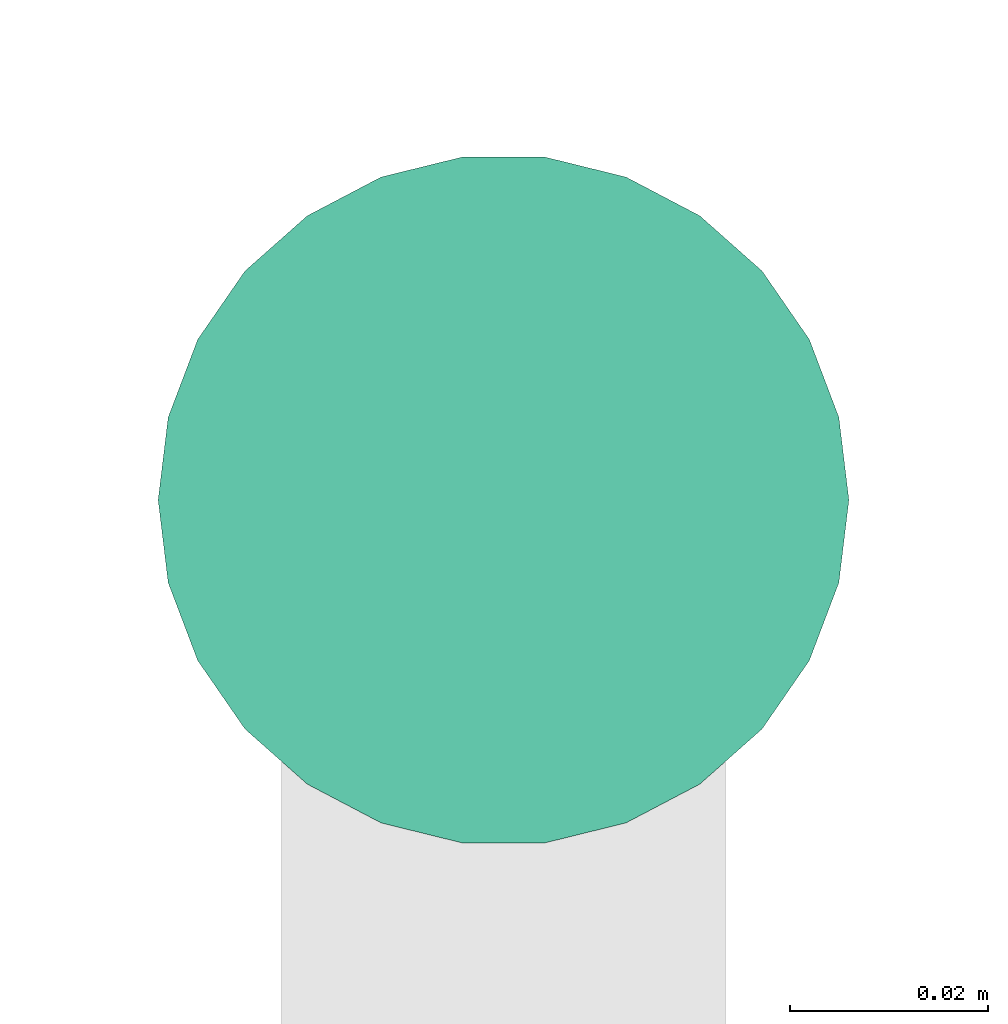
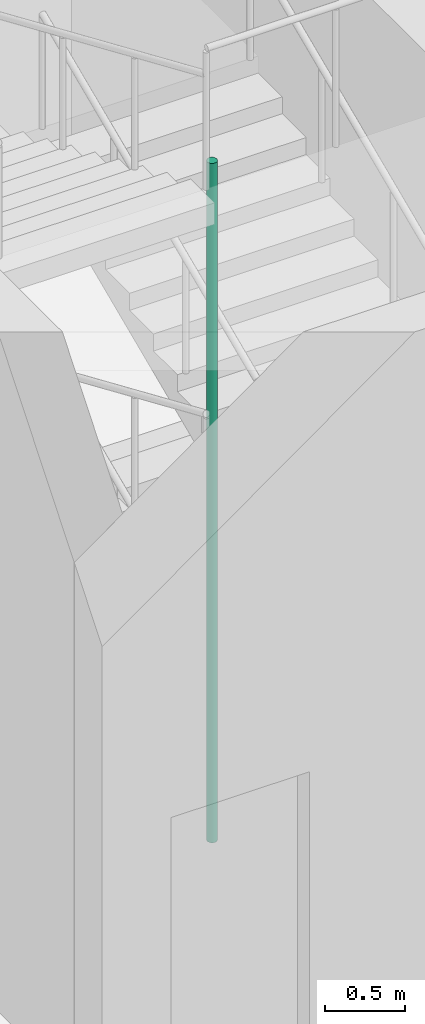
# One storey, part 23 of 31: 1 pipe segment.
"""IFC4 building model written with IfcOpenShell, lengths in metres."""

from ifc_helpers import new_model, si_unit, direction, frame, origin, origin_2d, place, context, subcontext, project, spatial, circle, extrude, element, save


model = new_model("IFC4")

# Units and contexts
model_context = context("Model", 3, precision=1e-05, world=origin(), true_north=direction((0.0, 1.0)))
body_context = subcontext(model_context, "Body", "Model", "MODEL_VIEW")
ifc_project = project(units=[si_unit("LENGTHUNIT", "METRE"), si_unit("AREAUNIT", "SQUARE_METRE"), si_unit("VOLUMEUNIT", "CUBIC_METRE"), si_unit("PLANEANGLEUNIT", "RADIAN"), si_unit("MASSUNIT", "GRAM", prefix="KILO")], contexts=[model_context])

# Site, building, storey
site_placement = place(None, origin())
site = spatial("IfcSite", under=ifc_project, at=site_placement, CompositionType="ELEMENT")
building_placement = place(site_placement, origin())
building = spatial("IfcBuilding", under=site, at=building_placement, Name="Nzadi Deep Aquarium and Research Tower", CompositionType="ELEMENT")
storey_placement = place(building_placement, frame((0.0, 0.0, 26.699951171875)))
storey = spatial("IfcBuildingStorey", under=building, at=storey_placement, Name="L04", CompositionType="ELEMENT", Elevation=26.699951171875)

# Pipe segment
pipe_segment_placement = place(storey_placement, frame((55.300048828125, 68.9599609375, 0.0), z_axis=(0.0, 0.0, 1.0), x_axis=(1.0, 0.0, 0.0)))
element("IfcPipeSegment", 1, at=pipe_segment_placement, inside=storey, Name="Dry riser ST-Z2-E L04", PredefinedType="RIGIDSEGMENT", context=body_context, shape_type="SweptSolid", body=[
    extrude(circle(Radius=0.034912109375, at=origin_2d()), origin(), (0.0, 0.0, 1.0), 5.199951171875),
])

save(model, "model.ifc")
